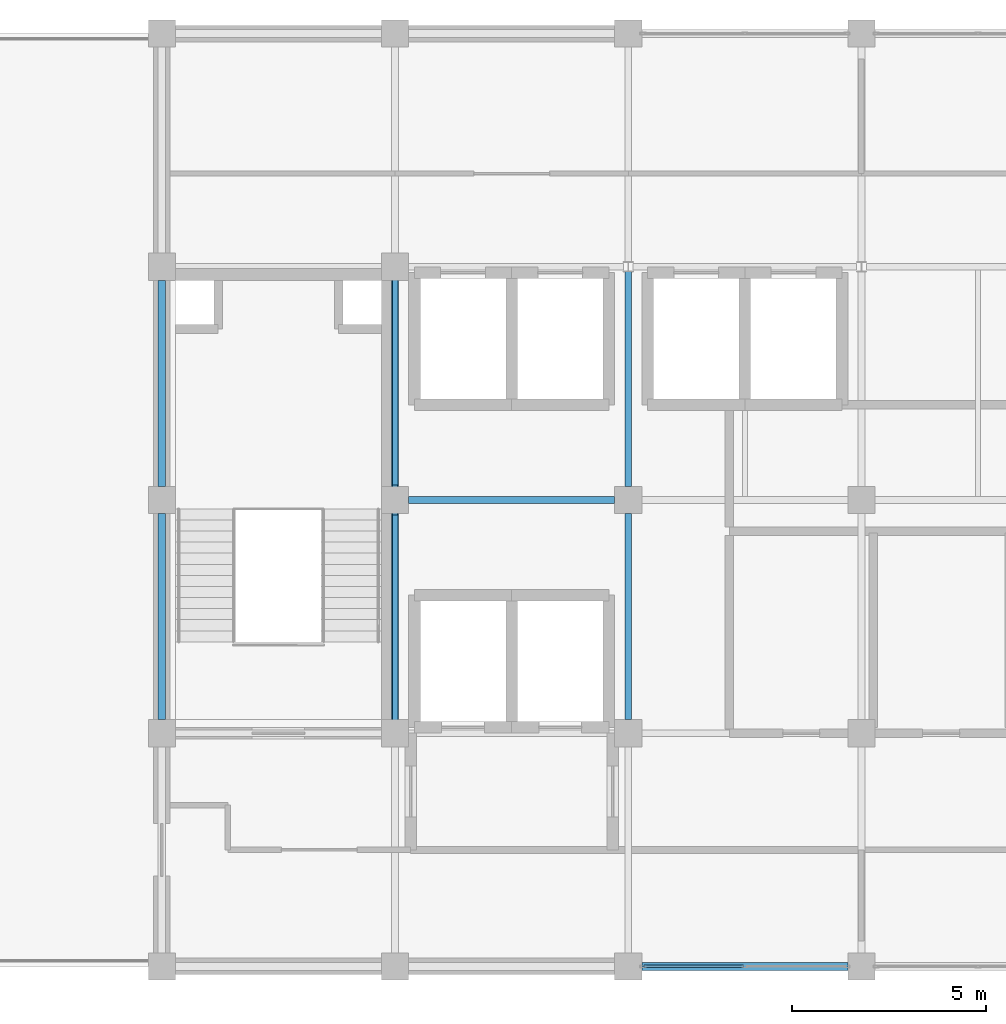
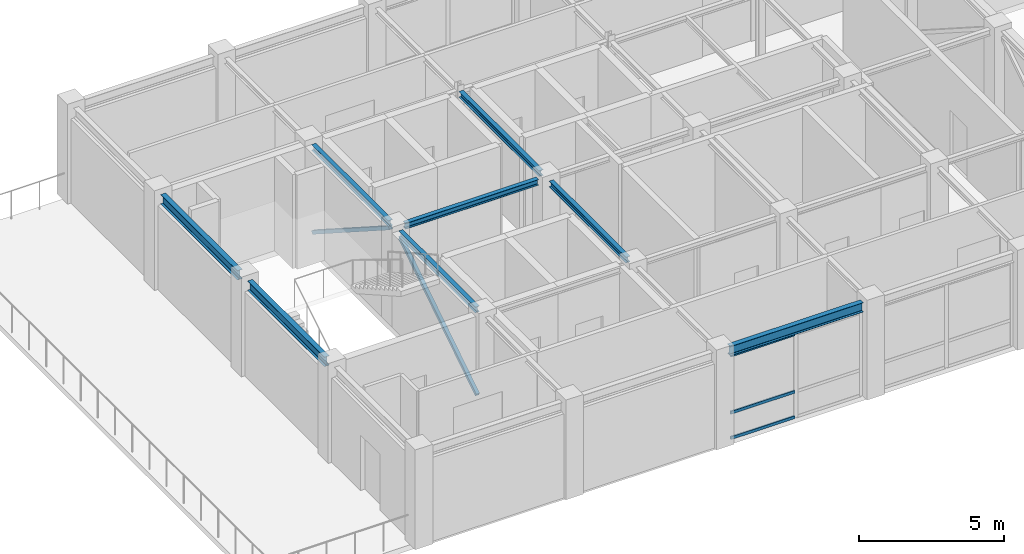
# One storey, part 5 of 14: 8 beams, 5 members, 1 element without a shape of its own.
"""IFC4 building model written with IfcOpenShell, lengths in metres."""

from ifc_helpers import new_model, si_unit, direction, frame, origin, origin_2d, place, context, subcontext, project, spatial, hollow_rectangle, i_section, extrude, material, layer, layer_set, material_profile, profile_set, type_object, element, aggregate, save


model = new_model("IFC4")

# Units and contexts
model_context = context("Model", 3, precision=1e-05, world=origin(), true_north=direction((0.0, 1.0)))
body_context = subcontext(model_context, "Body", "Model", "MODEL_VIEW")
ifc_project = project(units=[si_unit("LENGTHUNIT", "METRE"), si_unit("AREAUNIT", "SQUARE_METRE"), si_unit("VOLUMEUNIT", "CUBIC_METRE"), si_unit("PLANEANGLEUNIT", "RADIAN"), si_unit("MASSUNIT", "GRAM", prefix="KILO")], contexts=[model_context])

# Site, building, storey
site_placement = place(None, origin())
site = spatial("IfcSite", under=ifc_project, at=site_placement, CompositionType="ELEMENT")
building_placement = place(site_placement, origin())
building = spatial("IfcBuilding", under=site, at=building_placement, Name="Zlatovratsky Civic Hall", CompositionType="ELEMENT")
storey_placement = place(building_placement, frame((0.0, 0.0, 67.800048828125)))
storey = spatial("IfcBuildingStorey", under=building, at=storey_placement, Name="L17", CompositionType="ELEMENT", Elevation=67.800048828125)

# Beams
ifc_material_1 = material(Name="Steel S355", Category="steel")
ifc_material_profile_1 = material_profile(ifc_material_1, i_section(OverallWidth=0.175048828125, OverallDepth=0.243896484375, WebThickness=0.007080078125, FlangeThickness=0.010986328125, FilletRadius=0.01611328125, at=origin_2d()), Name="25Sh1")
ifc_profile_set_1 = profile_set([ifc_material_profile_1], Name="Steel S355")
beam_type_1 = type_object("IfcBeamType", Name="Beam_Crown_25Sh1", PredefinedType="BEAM", material=ifc_profile_set_1)
for number, where, z_axis, x_axis, name in (
    (1, (72.35009765625, 90.0, 3.837890625), (1.0, 0.0, 0.0), (0.0, 1.0, 0.0), "BM-5205"),
    (2, (72.0, 84.35009765625, 3.837890625), (0.0, 1.0, 0.0), (-1.0, 0.0, 0.0), "BM-5226"),
    (3, (72.0, 90.35009765625, 3.837890625), (0.0, 1.0, 0.0), (-1.0, 0.0, 0.0), "BM-5227"),
    (4, (78.0, 84.35009765625, 3.837890625), (0.0, 1.0, 0.0), (-1.0, 0.0, 0.0), "BM-5230"),
):
    element("IfcBeam", number, at=place(storey_placement, frame(where, z_axis=z_axis, x_axis=x_axis)), inside=storey, type_object=beam_type_1, Name=name, PredefinedType="BEAM", context=body_context, shape_type="SweptSolid", body=[
        extrude(i_section(OverallWidth=0.175048828125, OverallDepth=0.243896484375, WebThickness=0.007080078125, FlangeThickness=0.010986328125, FilletRadius=0.01611328125, at=origin_2d()), origin(), (0.0, 0.0, 1.0), 5.2998046875),
    ])
beam_placement = place(storey_placement, frame((78.0, 90.35009765625, 3.837890625), z_axis=(0.0, 1.0, 0.0), x_axis=(-1.0, 0.0, 0.0)))
element("IfcBeam", 5, at=beam_placement, inside=storey, type_object=beam_type_1, Name="BM-5231", PredefinedType="BEAM", context=body_context, shape_type="SweptSolid", body=[
    extrude(i_section(OverallWidth=0.175048828125, OverallDepth=0.243896484375, WebThickness=0.007080078125, FlangeThickness=0.010986328125, FilletRadius=0.01611328125, at=origin_2d()), origin(), (0.0, 0.0, 1.0), 5.52490234375),
])
ifc_material_profile_2 = material_profile(ifc_material_1, i_section(OverallWidth=0.199951171875, OverallDepth=0.39990234375, WebThickness=0.008056640625, FlangeThickness=0.012939453125, FilletRadius=0.014892578125, at=origin_2d()), Name="40B2")
ifc_profile_set_2 = profile_set([ifc_material_profile_2], Name="Steel S355")
beam_type_2 = type_object("IfcBeamType", Name="Beam_Spandrel_40B2", PredefinedType="SPANDREL", material=ifc_profile_set_2)
for number, where, z_axis, x_axis, name in (
    (6, (78.35009765625, 78.0, 3.760009765625), (1.0, 0.0, 0.0), (0.0, 1.0, 0.0), "BM-5195"),
    (7, (66.0, 84.35009765625, 3.760009765625), (0.0, 1.0, 0.0), (-1.0, 0.0, 0.0), "BM-5222"),
    (8, (66.0, 90.35009765625, 3.760009765625), (0.0, 1.0, 0.0), (-1.0, 0.0, 0.0), "BM-5223"),
):
    element("IfcBeam", number, at=place(storey_placement, frame(where, z_axis=z_axis, x_axis=x_axis)), inside=storey, type_object=beam_type_2, Name=name, PredefinedType="SPANDREL", context=body_context, shape_type="SweptSolid", body=[
        extrude(i_section(OverallWidth=0.199951171875, OverallDepth=0.39990234375, WebThickness=0.008056640625, FlangeThickness=0.012939453125, FilletRadius=0.014892578125, at=origin_2d()), origin(), (0.0, 0.0, 1.0), 5.2998046875),
    ])

# Members
ifc_material_profile_3 = material_profile(ifc_material_1, hollow_rectangle(XDim=0.139892578125, YDim=0.139892578125, WallThickness=0.006103515625, at=origin_2d()), Name="SHS 140x140x6")
ifc_profile_set_3 = profile_set([ifc_material_profile_3], Name="Steel S355")
member_type_1 = type_object("IfcMemberType", Name="Brace_Crown_SHS140", PredefinedType="BRACE", material=ifc_profile_set_3)
for number, where, z_axis, x_axis, name in (
    (9, (72.0, 84.35009765625, 0.25), (0.0, 0.841692087363, 0.539957803972), (-1.0, 0.0, 0.0), "MB-0172"),
    (10, (72.0, 90.35009765625, 3.64990234375), (0.0, 0.841692087363, -0.539957803972), (-1.0, 0.0, 0.0), "MB-0173"),
):
    element("IfcMember", number, at=place(storey_placement, frame(where, z_axis=z_axis, x_axis=x_axis)), inside=storey, type_object=member_type_1, Name=name, PredefinedType="BRACE", context=body_context, shape_type="SweptSolid", body=[
        extrude(hollow_rectangle(XDim=0.139892578125, YDim=0.139892578125, WallThickness=0.006103515625, at=origin_2d()), origin(), (0.0, 0.0, 1.0), 6.296630859375),
    ])

# Curtain wall, members
ifc_material_2 = material(Name="Anodised bronze aluminium", Category="aluminium")
ifc_layer = layer(ifc_material_2, 0.159912109375)
ifc_layer_set = layer_set([ifc_layer], Name="Anodised bronze aluminium")
curtain_wall_type = type_object("IfcCurtainWallType", Name="CurtainWall_Bronze_5300x3540_25", PredefinedType="NOTDEFINED", material=ifc_layer_set)
curtain_wall_placement = place(storey_placement, origin())
curtain_wall = element("IfcCurtainWall", 11, at=curtain_wall_placement, inside=storey, type_object=curtain_wall_type, Name="CW-177", PredefinedType="NOTDEFINED")
ifc_material_profile_4 = material_profile(ifc_material_2, hollow_rectangle(XDim=0.06005859375, YDim=0.1201171875, WallThickness=0.00390625, at=origin_2d()), Name="ALU 60x120x4")
ifc_profile_set_4 = profile_set([ifc_material_profile_4], Name="Anodised bronze aluminium")
member_type_2 = type_object("IfcMemberType", Name="CW_Transom_60x120", PredefinedType="USERDEFINED", material=ifc_profile_set_4)
member_1_placement = place(storey_placement, frame((78.409912109375, 78.0, 0.030029296875), z_axis=(1.0, 0.0, 0.0), x_axis=(0.0, 1.0, 0.0)))
member_1 = element("IfcMember", 12, at=member_1_placement, type_object=member_type_2, Name="CW-25 transom 1.1", ObjectType="TRANSOM", PredefinedType="USERDEFINED", context=body_context, shape_type="SweptSolid", body=[
    extrude(hollow_rectangle(XDim=0.06005859375, YDim=0.1201171875, WallThickness=0.00390625, at=origin_2d()), origin(), (0.0, 0.0, 1.0), 2.56005859375),
])
member_2_placement = place(storey_placement, frame((78.409912109375, 78.0, 1.099853515625), z_axis=(1.0, 0.0, 0.0), x_axis=(0.0, 1.0, 0.0)))
member_2 = element("IfcMember", 13, at=member_2_placement, type_object=member_type_2, Name="CW-25 transom 1.2", ObjectType="TRANSOM", PredefinedType="USERDEFINED", context=body_context, shape_type="SweptSolid", body=[
    extrude(hollow_rectangle(XDim=0.06005859375, YDim=0.1201171875, WallThickness=0.00390625, at=origin_2d()), origin(), (0.0, 0.0, 1.0), 2.56005859375),
])
member_3_placement = place(storey_placement, frame((78.409912109375, 78.0, 3.510009765625), z_axis=(1.0, 0.0, 0.0), x_axis=(0.0, 1.0, 0.0)))
member_3 = element("IfcMember", 14, at=member_3_placement, type_object=member_type_2, Name="CW-25 transom 1.3", ObjectType="TRANSOM", PredefinedType="USERDEFINED", context=body_context, shape_type="SweptSolid", body=[
    extrude(hollow_rectangle(XDim=0.06005859375, YDim=0.1201171875, WallThickness=0.00390625, at=origin_2d()), origin(), (0.0, 0.0, 1.0), 2.56005859375),
])
aggregate(curtain_wall, [member_1, member_2, member_3])

save(model, "model.ifc")
